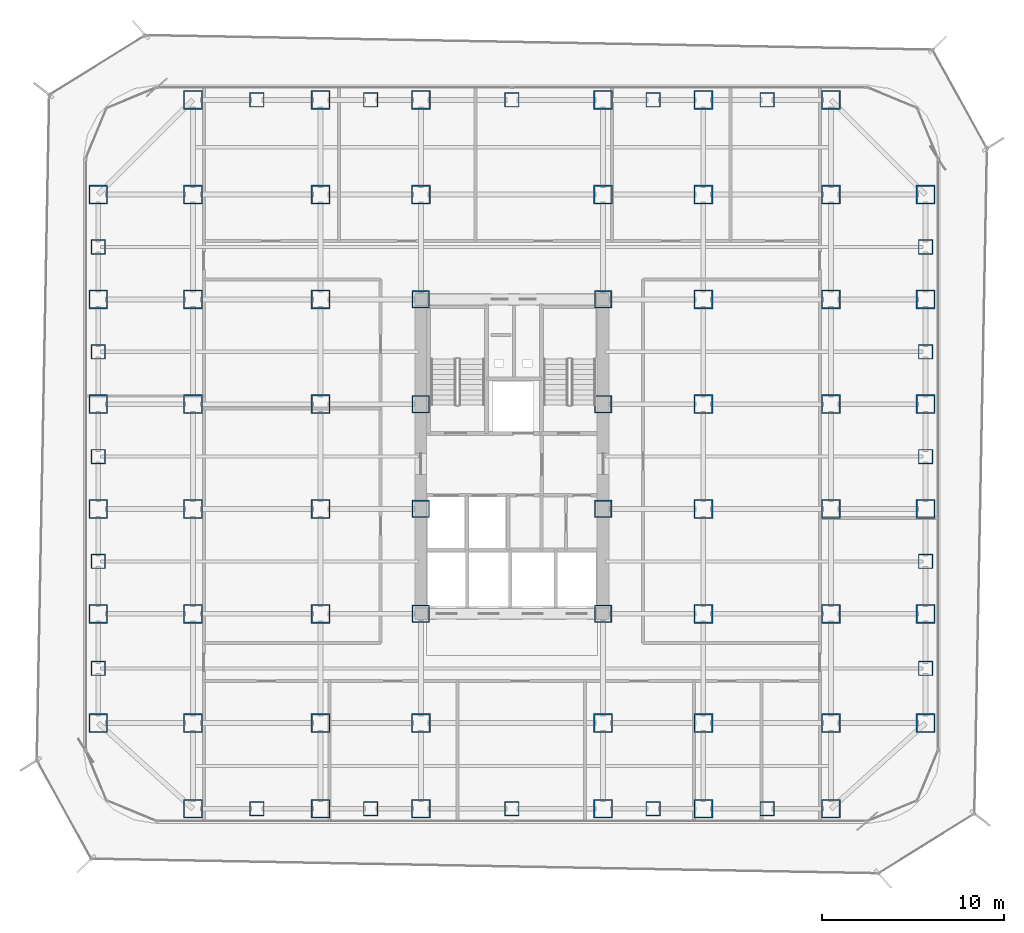
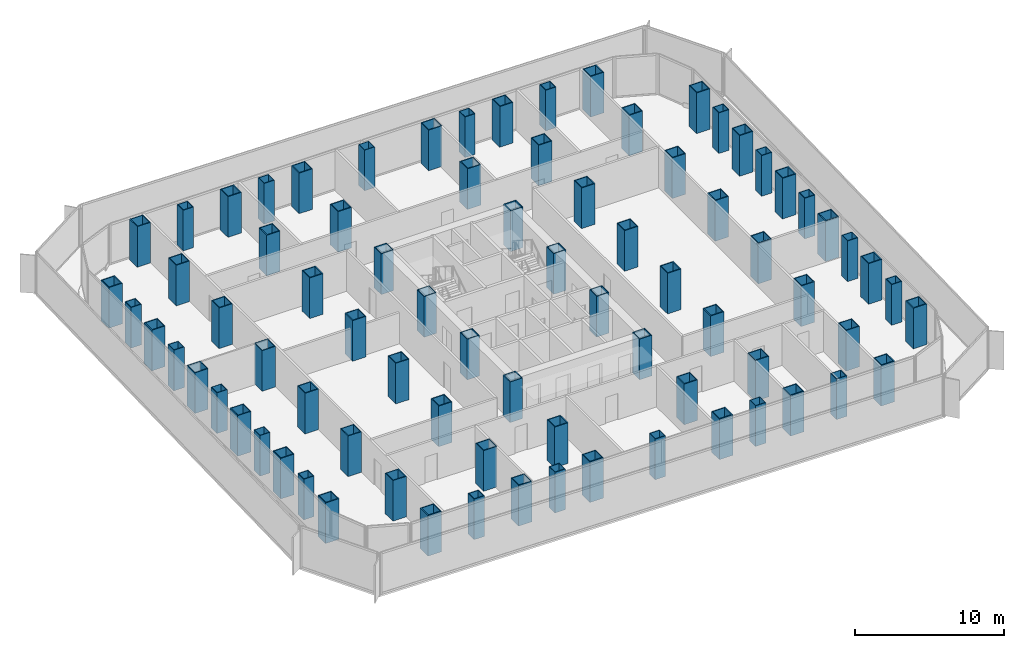
# One storey, part 1 of 22: 80 columns.
"""IFC4 building model written with IfcOpenShell, lengths in metres."""

from ifc_helpers import new_model, si_unit, direction, frame, origin, origin_2d, place, context, subcontext, project, spatial, hollow_rectangle, extrude, source, transform, mapped, material, material_profile, profile_set, type_object, element, save


model = new_model("IFC4")

# Units and contexts
model_context = context("Model", 3, precision=1e-05, world=origin(), true_north=direction((0.0, 1.0)))
body_context = subcontext(model_context, "Body", "Model", "MODEL_VIEW")
ifc_project = project(units=[si_unit("LENGTHUNIT", "METRE"), si_unit("AREAUNIT", "SQUARE_METRE"), si_unit("VOLUMEUNIT", "CUBIC_METRE"), si_unit("PLANEANGLEUNIT", "RADIAN"), si_unit("MASSUNIT", "GRAM", prefix="KILO")], contexts=[model_context])

# Site, building, storey
site_placement = place(None, origin())
site = spatial("IfcSite", under=ifc_project, at=site_placement, CompositionType="ELEMENT")
building_placement = place(site_placement, origin())
building = spatial("IfcBuilding", under=site, at=building_placement, Name="Kolveth Station Tower", CompositionType="ELEMENT")
storey_placement = place(building_placement, frame((0.0, 0.0, 81.0)))
storey = spatial("IfcBuildingStorey", under=building, at=storey_placement, Name="L21", CompositionType="ELEMENT", Elevation=81.0)

# Columns
ifc_material_1 = material(Name="Steel S460", Category="steel")
ifc_material_profile_1 = material_profile(ifc_material_1, hollow_rectangle(XDim=1.0400390625, YDim=1.0400390625, WallThickness=0.06494140625, at=origin_2d()), Name="BOX1040x1040x65")
ifc_profile_set_1 = profile_set([ifc_material_profile_1], Name="Steel S460")
column_type_1 = type_object("IfcColumnType", Name="Col_C2", PredefinedType="COLUMN", material=ifc_profile_set_1)
shared_shape_1 = source(origin(), body_context, "Body", "SweptSolid", [
    extrude(hollow_rectangle(XDim=1.0400390625, YDim=1.0400390625, WallThickness=0.06494140625, at=origin_2d()), origin(), (0.0, 0.0, 1.0), 3.320068359375),
])
for number, where, z_axis, x_axis, name in (
    (1, (6.0, 0.800048828125, 0.0), (0.0, 0.0, 1.0), (1.0, 0.0, 0.0), "L21 Tower Column S-X60"),
    (2, (6.0, 39.699951171875, 0.0), (0.0, 0.0, 1.0), (1.0, 0.0, 0.0), "L21 Tower Column N-X60"),
    (3, (13.0, 0.800048828125, 0.0), (0.0, 0.0, 1.0), (1.0, 0.0, 0.0), "L21 Tower Column S-X130"),
    (4, (13.0, 39.699951171875, 0.0), (0.0, 0.0, 1.0), (1.0, 0.0, 0.0), "L21 Tower Column N-X130"),
    (5, (18.5, 0.800048828125, 0.0), (0.0, 0.0, 1.0), (1.0, 0.0, 0.0), "L21 Tower Column S-X185"),
    (6, (18.5, 39.699951171875, 0.0), (0.0, 0.0, 1.0), (1.0, 0.0, 0.0), "L21 Tower Column N-X185"),
    (7, (28.5, 0.800048828125, 0.0), (0.0, 0.0, 1.0), (1.0, 0.0, 0.0), "L21 Tower Column S-X285"),
    (8, (28.5, 39.699951171875, 0.0), (0.0, 0.0, 1.0), (1.0, 0.0, 0.0), "L21 Tower Column N-X285"),
    (9, (34.0, 0.800048828125, 0.0), (0.0, 0.0, 1.0), (1.0, 0.0, 0.0), "L21 Tower Column S-X340"),
    (10, (34.0, 39.699951171875, 0.0), (0.0, 0.0, 1.0), (1.0, 0.0, 0.0), "L21 Tower Column N-X340"),
    (11, (41.0, 0.800048828125, 0.0), (0.0, 0.0, 1.0), (1.0, 0.0, 0.0), "L21 Tower Column S-X410"),
    (12, (41.0, 39.699951171875, 0.0), (0.0, 0.0, 1.0), (1.0, 0.0, 0.0), "L21 Tower Column N-X410"),
    (13, (0.800048828125, 5.5, 0.0), (0.0, 0.0, 1.0), (1.0, 0.0, 0.0), "L21 Tower Column W-Y55"),
    (14, (46.199951171875, 5.5, 0.0), (0.0, 0.0, 1.0), (1.0, 0.0, 0.0), "L21 Tower Column E-Y55"),
    (15, (0.800048828125, 11.5, 0.0), (0.0, 0.0, 1.0), (1.0, 0.0, 0.0), "L21 Tower Column W-Y115"),
    (16, (46.199951171875, 11.5, 0.0), (0.0, 0.0, 1.0), (1.0, 0.0, 0.0), "L21 Tower Column E-Y115"),
    (17, (0.800048828125, 17.25, 0.0), (0.0, 0.0, 1.0), (1.0, 0.0, 0.0), "L21 Tower Column W-Y172"),
    (18, (46.199951171875, 17.25, 0.0), (0.0, 0.0, 1.0), (1.0, 0.0, 0.0), "L21 Tower Column E-Y172"),
    (19, (0.800048828125, 23.0, 0.0), (0.0, 0.0, 1.0), (1.0, 0.0, 0.0), "L21 Tower Column W-Y230"),
    (20, (46.199951171875, 23.0, 0.0), (0.0, 0.0, 1.0), (1.0, 0.0, 0.0), "L21 Tower Column E-Y230"),
    (21, (0.800048828125, 28.75, 0.0), (0.0, 0.0, 1.0), (1.0, 0.0, 0.0), "L21 Tower Column W-Y287"),
    (22, (46.199951171875, 28.75, 0.0), (0.0, 0.0, 1.0), (1.0, 0.0, 0.0), "L21 Tower Column E-Y287"),
    (23, (0.800048828125, 34.5, 0.0), (0.0, 0.0, 1.0), (1.0, 0.0, 0.0), "L21 Tower Column W-Y345"),
    (24, (46.199951171875, 34.5, 0.0), (0.0, 0.0, 1.0), (1.0, 0.0, 0.0), "L21 Tower Column E-Y345"),
    (25, (6.0, 5.5, 0.0), (0.0, 0.0, 1.0), (1.0, 0.0, 0.0), "L21 Tower Column G-60-55"),
    (26, (6.0, 11.5, 0.0), (0.0, 0.0, 1.0), (1.0, 0.0, 0.0), "L21 Tower Column G-60-115"),
    (27, (6.0, 17.25, 0.0), (0.0, 0.0, 1.0), (1.0, 0.0, 0.0), "L21 Tower Column G-60-172"),
    (28, (6.0, 23.0, 0.0), (0.0, 0.0, 1.0), (1.0, 0.0, 0.0), "L21 Tower Column G-60-230"),
    (29, (6.0, 28.75, 0.0), (0.0, 0.0, 1.0), (1.0, 0.0, 0.0), "L21 Tower Column G-60-287"),
    (30, (6.0, 34.5, 0.0), (0.0, 0.0, 1.0), (1.0, 0.0, 0.0), "L21 Tower Column G-60-345"),
    (31, (13.0, 5.5, 0.0), (0.0, 0.0, 1.0), (1.0, 0.0, 0.0), "L21 Tower Column G-130-55"),
    (32, (13.0, 11.5, 0.0), (0.0, 0.0, 1.0), (1.0, 0.0, 0.0), "L21 Tower Column G-130-115"),
    (33, (13.0, 17.25, 0.0), (0.0, 0.0, 1.0), (1.0, 0.0, 0.0), "L21 Tower Column G-130-172"),
    (34, (13.0, 23.0, 0.0), (0.0, 0.0, 1.0), (1.0, 0.0, 0.0), "L21 Tower Column G-130-230"),
    (35, (13.0, 28.75, 0.0), (0.0, 0.0, 1.0), (1.0, 0.0, 0.0), "L21 Tower Column G-130-287"),
    (36, (13.0, 34.5, 0.0), (0.0, 0.0, 1.0), (1.0, 0.0, 0.0), "L21 Tower Column G-130-345"),
    (37, (18.5, 5.5, 0.0), (0.0, 0.0, 1.0), (1.0, 0.0, 0.0), "L21 Tower Column G-185-55"),
    (38, (18.5, 34.5, 0.0), (0.0, 0.0, 1.0), (1.0, 0.0, 0.0), "L21 Tower Column G-185-345"),
    (39, (28.5, 5.5, 0.0), (0.0, 0.0, 1.0), (1.0, 0.0, 0.0), "L21 Tower Column G-285-55"),
    (40, (28.5, 34.5, 0.0), (0.0, 0.0, 1.0), (1.0, 0.0, 0.0), "L21 Tower Column G-285-345"),
    (41, (34.0, 5.5, 0.0), (0.0, 0.0, 1.0), (1.0, 0.0, 0.0), "L21 Tower Column G-340-55"),
    (42, (34.0, 11.5, 0.0), (0.0, 0.0, 1.0), (1.0, 0.0, 0.0), "L21 Tower Column G-340-115"),
    (43, (34.0, 17.25, 0.0), (0.0, 0.0, 1.0), (1.0, 0.0, 0.0), "L21 Tower Column G-340-172"),
    (44, (34.0, 23.0, 0.0), (0.0, 0.0, 1.0), (1.0, 0.0, 0.0), "L21 Tower Column G-340-230"),
    (45, (34.0, 28.75, 0.0), (0.0, 0.0, 1.0), (1.0, 0.0, 0.0), "L21 Tower Column G-340-287"),
    (46, (34.0, 34.5, 0.0), (0.0, 0.0, 1.0), (1.0, 0.0, 0.0), "L21 Tower Column G-340-345"),
    (47, (41.0, 5.5, 0.0), (0.0, 0.0, 1.0), (1.0, 0.0, 0.0), "L21 Tower Column G-410-55"),
    (48, (41.0, 11.5, 0.0), (0.0, 0.0, 1.0), (1.0, 0.0, 0.0), "L21 Tower Column G-410-115"),
    (49, (41.0, 17.25, 0.0), (0.0, 0.0, 1.0), (1.0, 0.0, 0.0), "L21 Tower Column G-410-172"),
    (50, (41.0, 23.0, 0.0), (0.0, 0.0, 1.0), (1.0, 0.0, 0.0), "L21 Tower Column G-410-230"),
    (51, (41.0, 28.75, 0.0), (0.0, 0.0, 1.0), (1.0, 0.0, 0.0), "L21 Tower Column G-410-287"),
    (52, (41.0, 34.5, 0.0), (0.0, 0.0, 1.0), (1.0, 0.0, 0.0), "L21 Tower Column G-410-345"),
):
    element("IfcColumn", number, at=place(storey_placement, frame(where, z_axis=z_axis, x_axis=x_axis)), inside=storey, type_object=column_type_1, Name=name, PredefinedType="COLUMN", context=body_context, shape_type="MappedRepresentation", body=[
        mapped(shared_shape_1, transform((0.0, 0.0, 0.0), x_axis=(1.0, 0.0, 0.0), y_axis=(0.0, 1.0, 0.0), z_axis=(0.0, 0.0, 1.0), scale=1.0)),
    ])
ifc_material_profile_2 = material_profile(ifc_material_1, hollow_rectangle(XDim=0.9599609375, YDim=0.9599609375, WallThickness=0.06005859375, at=origin_2d()), Name="BOX960x960x60")
ifc_profile_set_2 = profile_set([ifc_material_profile_2], Name="Steel S460")
column_type_2 = type_object("IfcColumnType", Name="Col_C3", PredefinedType="COLUMN", material=ifc_profile_set_2)
shared_shape_2 = source(origin(), body_context, "Body", "SweptSolid", [
    extrude(hollow_rectangle(XDim=0.9599609375, YDim=0.9599609375, WallThickness=0.06005859375, at=origin_2d()), origin(), (0.0, 0.0, 1.0), 3.320068359375),
])
for number, where, z_axis, x_axis, name in (
    (53, (18.5, 11.5, 0.0), (0.0, 0.0, 1.0), (1.0, 0.0, 0.0), "L21 Tower Column G-185-115"),
    (54, (18.5, 17.25, 0.0), (0.0, 0.0, 1.0), (1.0, 0.0, 0.0), "L21 Tower Column G-185-172"),
    (55, (18.5, 23.0, 0.0), (0.0, 0.0, 1.0), (1.0, 0.0, 0.0), "L21 Tower Column G-185-230"),
    (56, (18.5, 28.75, 0.0), (0.0, 0.0, 1.0), (1.0, 0.0, 0.0), "L21 Tower Column G-185-287"),
    (57, (28.5, 11.5, 0.0), (0.0, 0.0, 1.0), (1.0, 0.0, 0.0), "L21 Tower Column G-285-115"),
    (58, (28.5, 17.25, 0.0), (0.0, 0.0, 1.0), (1.0, 0.0, 0.0), "L21 Tower Column G-285-172"),
    (59, (28.5, 23.0, 0.0), (0.0, 0.0, 1.0), (1.0, 0.0, 0.0), "L21 Tower Column G-285-230"),
    (60, (28.5, 28.75, 0.0), (0.0, 0.0, 1.0), (1.0, 0.0, 0.0), "L21 Tower Column G-285-287"),
):
    element("IfcColumn", number, at=place(storey_placement, frame(where, z_axis=z_axis, x_axis=x_axis)), inside=storey, type_object=column_type_2, Name=name, PredefinedType="COLUMN", context=body_context, shape_type="MappedRepresentation", body=[
        mapped(shared_shape_2, transform((0.0, 0.0, 0.0), x_axis=(1.0, 0.0, 0.0), y_axis=(0.0, 1.0, 0.0), z_axis=(0.0, 0.0, 1.0), scale=1.0)),
    ])
ifc_material_2 = material(Name="Steel S355", Category="steel")
ifc_material_profile_3 = material_profile(ifc_material_2, hollow_rectangle(XDim=0.800048828125, YDim=0.800048828125, WallThickness=0.044921875, at=origin_2d()), Name="BOX800x800x45")
ifc_profile_set_3 = profile_set([ifc_material_profile_3], Name="Steel S355")
column_type_3 = type_object("IfcColumnType", Name="Col_C5", PredefinedType="COLUMN", material=ifc_profile_set_3)
shared_shape_3 = source(origin(), body_context, "Body", "SweptSolid", [
    extrude(hollow_rectangle(XDim=0.800048828125, YDim=0.800048828125, WallThickness=0.044921875, at=origin_2d()), origin(), (0.0, 0.0, 1.0), 3.320068359375),
])
for number, where, z_axis, x_axis, name in (
    (61, (9.5, 0.800048828125, 0.0), (0.0, 0.0, 1.0), (1.0, 0.0, 0.0), "L21 Tower Column MS-X95"),
    (62, (9.5, 39.699951171875, 0.0), (0.0, 0.0, 1.0), (1.0, 0.0, 0.0), "L21 Tower Column MN-X95"),
    (63, (15.75, 0.800048828125, 0.0), (0.0, 0.0, 1.0), (1.0, 0.0, 0.0), "L21 Tower Column MS-X157"),
    (64, (15.75, 39.699951171875, 0.0), (0.0, 0.0, 1.0), (1.0, 0.0, 0.0), "L21 Tower Column MN-X157"),
    (65, (23.5, 0.800048828125, 0.0), (0.0, 0.0, 1.0), (1.0, 0.0, 0.0), "L21 Tower Column MS-X235"),
    (66, (23.5, 39.699951171875, 0.0), (0.0, 0.0, 1.0), (1.0, 0.0, 0.0), "L21 Tower Column MN-X235"),
    (67, (31.25, 0.800048828125, 0.0), (0.0, 0.0, 1.0), (1.0, 0.0, 0.0), "L21 Tower Column MS-X312"),
    (68, (31.25, 39.699951171875, 0.0), (0.0, 0.0, 1.0), (1.0, 0.0, 0.0), "L21 Tower Column MN-X312"),
    (69, (37.5, 0.800048828125, 0.0), (0.0, 0.0, 1.0), (1.0, 0.0, 0.0), "L21 Tower Column MS-X375"),
    (70, (37.5, 39.699951171875, 0.0), (0.0, 0.0, 1.0), (1.0, 0.0, 0.0), "L21 Tower Column MN-X375"),
    (71, (0.800048828125, 8.5, 0.0), (0.0, 0.0, 1.0), (1.0, 0.0, 0.0), "L21 Tower Column MW-Y85"),
    (72, (46.199951171875, 8.5, 0.0), (0.0, 0.0, 1.0), (1.0, 0.0, 0.0), "L21 Tower Column ME-Y85"),
    (73, (0.800048828125, 14.375, 0.0), (0.0, 0.0, 1.0), (1.0, 0.0, 0.0), "L21 Tower Column MW-Y143"),
    (74, (46.199951171875, 14.375, 0.0), (0.0, 0.0, 1.0), (1.0, 0.0, 0.0), "L21 Tower Column ME-Y143"),
    (75, (0.800048828125, 20.125, 0.0), (0.0, 0.0, 1.0), (1.0, 0.0, 0.0), "L21 Tower Column MW-Y201"),
    (76, (46.199951171875, 20.125, 0.0), (0.0, 0.0, 1.0), (1.0, 0.0, 0.0), "L21 Tower Column ME-Y201"),
    (77, (0.800048828125, 25.875, 0.0), (0.0, 0.0, 1.0), (1.0, 0.0, 0.0), "L21 Tower Column MW-Y258"),
    (78, (46.199951171875, 25.875, 0.0), (0.0, 0.0, 1.0), (1.0, 0.0, 0.0), "L21 Tower Column ME-Y258"),
    (79, (0.800048828125, 31.625, 0.0), (0.0, 0.0, 1.0), (1.0, 0.0, 0.0), "L21 Tower Column MW-Y316"),
    (80, (46.199951171875, 31.625, 0.0), (0.0, 0.0, 1.0), (1.0, 0.0, 0.0), "L21 Tower Column ME-Y316"),
):
    element("IfcColumn", number, at=place(storey_placement, frame(where, z_axis=z_axis, x_axis=x_axis)), inside=storey, type_object=column_type_3, Name=name, PredefinedType="COLUMN", context=body_context, shape_type="MappedRepresentation", body=[
        mapped(shared_shape_3, transform((0.0, 0.0, 0.0), x_axis=(1.0, 0.0, 0.0), y_axis=(0.0, 1.0, 0.0), z_axis=(0.0, 0.0, 1.0), scale=1.0)),
    ])

save(model, "model.ifc")
